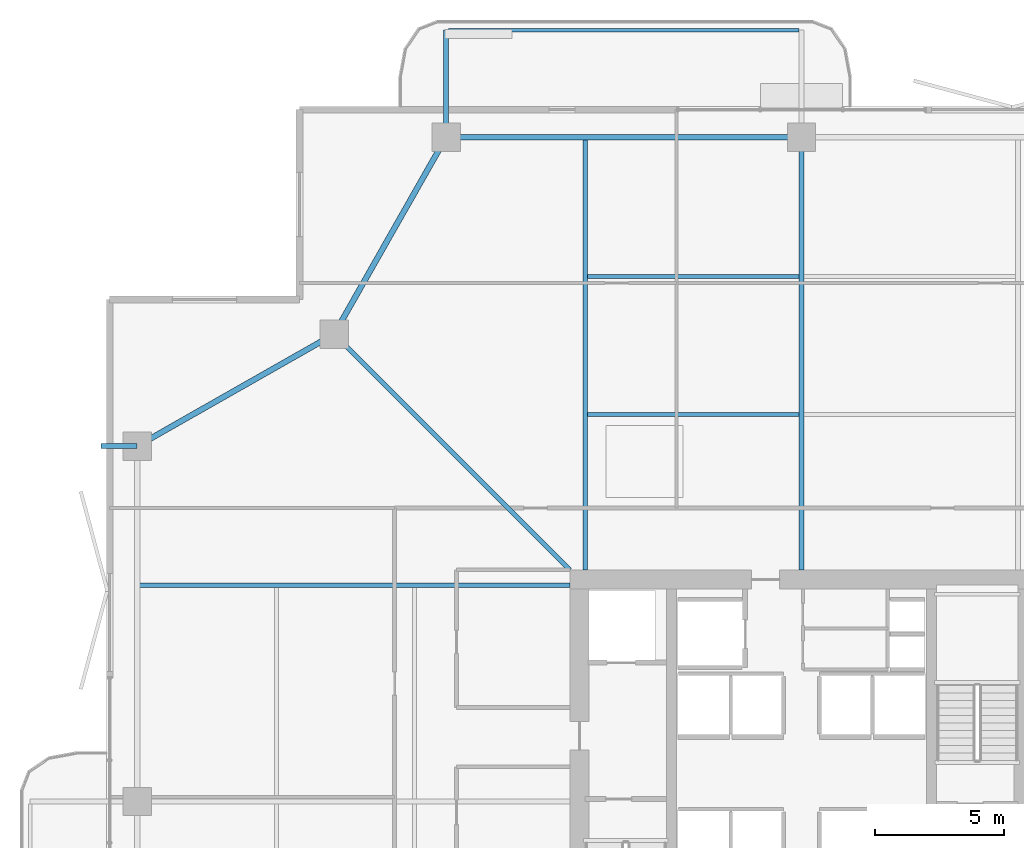
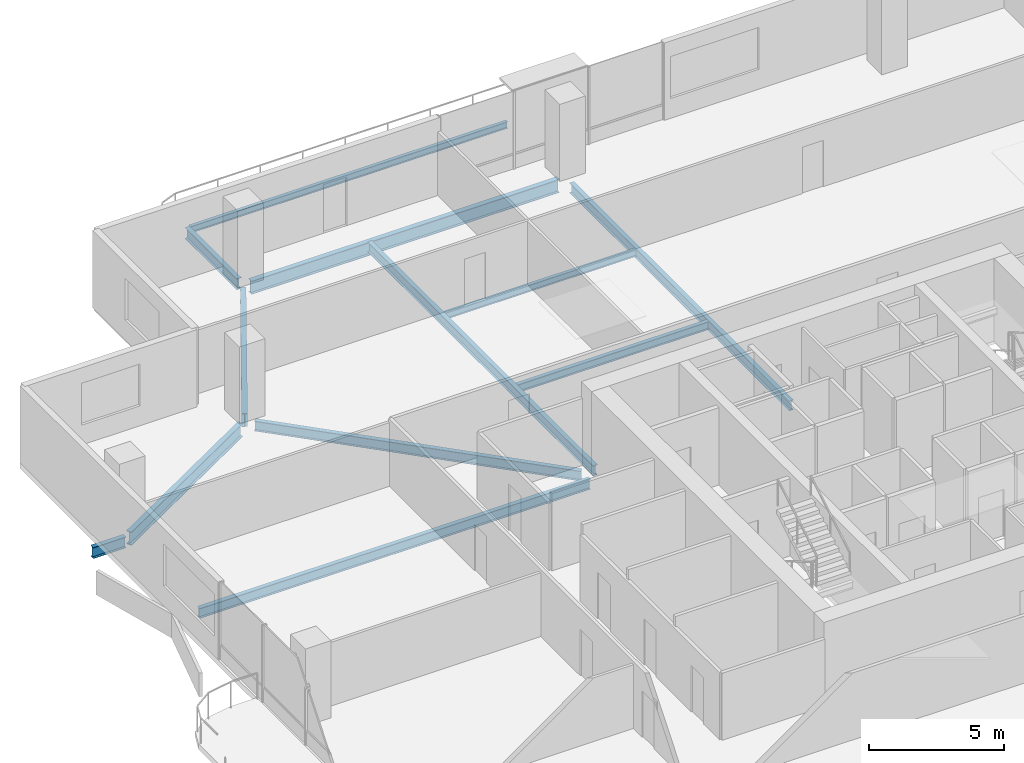
# One storey, part 10 of 24: 12 beams.
"""IFC4 building model written with IfcOpenShell, lengths in metres."""

import ifcopenshell
import ifcopenshell.guid

model = None  # the IFC model being written
_history = None  # IfcOwnerHistory: only IFC2X3 demands one
_inside = {}  # id of a spatial element -> (the spatial element, [elements in it])
_under = {}  # id of a project, library or spatial element -> (it, [spatial elements below it])
_declared = {}  # id of a project -> (the project, [libraries it declares])
_typed = {}  # id of a type object -> (the type object, [elements of that type])
_made_of = {}  # id of a material, layer set ... -> (it, [elements and type objects made of it])


def new_model(schema):
    """Start an empty IFC model of exactly this schema.

    Asked for "IFC4X3", IfcOpenShell would pick the latest addendum, in which some entities
    have other attributes; the version numbers below select the first issue.
    IFC2X3 requires an IfcOwnerHistory on every rooted entity: one is made here for all.
    """
    global model, _history
    if schema == "IFC4X3":
        model = ifcopenshell.file(schema_version=(4, 3, 0, 0))
    else:
        model = ifcopenshell.file(schema=schema)
    _inside.clear()
    _under.clear()
    _declared.clear()
    _typed.clear()
    _made_of.clear()
    _history = None
    if model.schema == "IFC2X3":
        org = make("IfcOrganization", Name="unknown")
        user = make(
            "IfcPersonAndOrganization",
            ThePerson=make("IfcPerson", FamilyName="unknown"),
            TheOrganization=org,
        )
        app = make(
            "IfcApplication",
            ApplicationDeveloper=org,
            Version="unknown",
            ApplicationFullName="unknown",
            ApplicationIdentifier="unknown",
        )
        _history = make(
            "IfcOwnerHistory",
            OwningUser=user,
            OwningApplication=app,
            ChangeAction="ADDED",
            CreationDate=0,
        )
    return model


def make(cls, **values):
    """One entity of the class cls with the attributes given. An attribute that is None is left unset."""
    return model.create_entity(
        cls, **{name: value for name, value in values.items() if value is not None}
    )


def rooted(cls, **values):
    """An entity with a GlobalId (a new one), such as an element, a storey or a relation."""
    return make(cls, GlobalId=ifcopenshell.guid.new(), OwnerHistory=_history, **values)


def si_unit(unit_type, name, prefix=None):
    """IfcSIUnit, for example si_unit("LENGTHUNIT", "METRE", prefix="MILLI")."""
    return make("IfcSIUnit", UnitType=unit_type, Prefix=prefix, Name=name)


def assignment(units):
    """IfcUnitAssignment: the units of a project."""
    return None if units is None else make("IfcUnitAssignment", Units=units)


def point(xyz):
    """IfcCartesianPoint."""
    return None if xyz is None else make("IfcCartesianPoint", Coordinates=xyz)


def direction(xyz):
    """IfcDirection."""
    return None if xyz is None else make("IfcDirection", DirectionRatios=xyz)


def frame(location, z_axis=None, x_axis=None):
    """IfcAxis2Placement3D, a coordinate frame: its origin and axes. An axis left out is left unset."""
    return make(
        "IfcAxis2Placement3D",
        Location=point(location),
        Axis=direction(z_axis),
        RefDirection=direction(x_axis),
    )


def frame_2d(location, x_axis=None):
    """IfcAxis2Placement2D, a coordinate frame in the plane: its origin and x axis."""
    return make(
        "IfcAxis2Placement2D", Location=point(location), RefDirection=direction(x_axis)
    )


def origin():
    """The frame at (0, 0, 0) with its axes left unset."""
    return frame((0.0, 0.0, 0.0))


def origin_2d():
    """The frame at (0, 0) in the plane with its x axis left unset."""
    return frame_2d((0.0, 0.0))


def place(relative_to, where):
    """IfcLocalPlacement: puts the frame where relative to a parent placement (None: the world)."""
    return make(
        "IfcLocalPlacement", PlacementRelTo=relative_to, RelativePlacement=where
    )


def context(
    kind, dimensions, precision=None, world=None, true_north=None, identifier=None
):
    """IfcGeometricRepresentationContext, for example the 3D "Model" context."""
    return make(
        "IfcGeometricRepresentationContext",
        ContextIdentifier=identifier,
        ContextType=kind,
        CoordinateSpaceDimension=dimensions,
        Precision=precision,
        WorldCoordinateSystem=world,
        TrueNorth=true_north,
    )


def subcontext(parent, identifier, kind, view, scale=None):
    """IfcGeometricRepresentationSubContext, for example "Body" below "Model"."""
    return make(
        "IfcGeometricRepresentationSubContext",
        ContextIdentifier=identifier,
        ContextType=kind,
        ParentContext=parent,
        TargetScale=scale,
        TargetView=view,
    )


def project(units=None, contexts=None):
    """IfcProject with its units and contexts."""
    return rooted(
        "IfcProject",
        Name="project",
        RepresentationContexts=contexts,
        UnitsInContext=assignment(units),
    )


def spatial(cls, under=None, at=None, **own):
    """A site, building, storey or space (cls), placed at a placement, below another one or the project."""
    s = rooted(cls, ObjectPlacement=at, **own)
    if under is not None:
        _under.setdefault(under.id(), (under, []))[1].append(s)
    return s


def profile(cls, at=None, kind="AREA", **sizes):
    """A parametric profile (cls). Its sizes go by their IFC names, for example OverallWidth=200.0."""
    return make(cls, ProfileType=kind, Position=at, **sizes)


def i_section(**sizes):
    """IfcIShapeProfileDef."""
    return profile("IfcIShapeProfileDef", **sizes)


def extrude(swept, where, along, depth):
    """IfcExtrudedAreaSolid: the profile swept, set in the frame where, extruded along a direction by depth."""
    return make(
        "IfcExtrudedAreaSolid",
        SweptArea=swept,
        Position=where,
        ExtrudedDirection=direction(along),
        Depth=depth,
    )


def shape(context_of_items, identifier, shape_type, items):
    """IfcShapeRepresentation: the items that make up one representation, for example the "Body"."""
    return make(
        "IfcShapeRepresentation",
        ContextOfItems=context_of_items,
        RepresentationIdentifier=identifier,
        RepresentationType=shape_type,
        Items=items,
    )


def material(Name=None, Category=None):
    """IfcMaterial."""
    return make("IfcMaterial", Name=Name, Category=Category)


def material_profile(
    of_material, cross_section, Name=None, Category=None, Priority=None
):
    """IfcMaterialProfile: a cross section and its material."""
    return make(
        "IfcMaterialProfile",
        Name=Name,
        Material=of_material,
        Profile=cross_section,
        Priority=Priority,
        Category=Category,
    )


def profile_set(profiles, Name=None, composite=None):
    """IfcMaterialProfileSet."""
    return make(
        "IfcMaterialProfileSet",
        Name=Name,
        MaterialProfiles=profiles,
        CompositeProfile=composite,
    )


def made_of(thing, what):
    """Note that an element or type object is made of a material, layer set ...; save() writes the relation."""
    if what is not None:
        _made_of.setdefault(what.id(), (what, []))[1].append(thing)
    return thing


def type_object(cls, material=None, **own):
    """A type object (cls), such as IfcWallType, which elements share."""
    return made_of(rooted(cls, **own), material)


def element(
    cls,
    number,
    at=None,
    inside=None,
    cuts=None,
    type_object=None,
    material=None,
    context=None,
    identifier="Body",
    shape_type=None,
    held_by="IfcProductDefinitionShape",
    body=None,
    shapes=None,
    **own,
):
    """One element of the class cls, such as IfcWall. Its Tag is "e" and its number.

    at: its placement. inside: the storey or other place that contains it. cuts: it is an
    opening in that element (IfcRelVoidsElement). A single representation is given by context,
    identifier, shape_type and body (its items); several are given by shapes. held_by: the class
    of the entity that holds the representations. save() writes the other relations.
    """
    e = rooted(cls, Tag="e%d" % number, ObjectPlacement=at, **own)
    if body is not None:
        shapes = [shape(context, identifier, shape_type, body)]
    if shapes is not None:
        e.Representation = make(held_by, Representations=shapes)
    if inside is not None:
        _inside.setdefault(inside.id(), (inside, []))[1].append(e)
    if cuts is not None:
        rooted(
            "IfcRelVoidsElement", RelatingBuildingElement=cuts, RelatedOpeningElement=e
        )
    if type_object is not None:
        _typed.setdefault(type_object.id(), (type_object, []))[1].append(e)
    return made_of(e, material)


def aggregate(whole, parts):
    """IfcRelAggregates: a whole, such as a stair, and the parts it consists of."""
    return rooted("IfcRelAggregates", RelatingObject=whole, RelatedObjects=parts)


def save(model, path):
    """Write the relations noted so far, then the file.

    IfcRelAggregates (storeys below a building ...), IfcRelContainedInSpatialStructure (elements
    in a storey), IfcRelDefinesByType, IfcRelAssociatesMaterial and IfcRelDeclares: one each for
    every whole, place, type object, material and project.
    """
    for whole, parts in _under.values():
        aggregate(whole, parts)
    for where, things in _inside.values():
        rooted(
            "IfcRelContainedInSpatialStructure",
            RelatedElements=things,
            RelatingStructure=where,
        )
    for kind, things in _typed.values():
        rooted("IfcRelDefinesByType", RelatedObjects=things, RelatingType=kind)
    for what, things in _made_of.values():
        rooted("IfcRelAssociatesMaterial", RelatedObjects=things, RelatingMaterial=what)
    for by, libraries in _declared.values():
        rooted("IfcRelDeclares", RelatingContext=by, RelatedDefinitions=libraries)
    model.write(path)


model = new_model("IFC4")

# Units and contexts
model_context = context("Model", 3, precision=1e-05, world=origin(), true_north=direction((0.0, 1.0)))
body_context = subcontext(model_context, "Body", "Model", "MODEL_VIEW")
ifc_project = project(units=[si_unit("LENGTHUNIT", "METRE"), si_unit("AREAUNIT", "SQUARE_METRE"), si_unit("VOLUMEUNIT", "CUBIC_METRE"), si_unit("PLANEANGLEUNIT", "RADIAN"), si_unit("MASSUNIT", "GRAM", prefix="KILO")], contexts=[model_context])

# Site, building, storey
site_placement = place(None, origin())
site = spatial("IfcSite", under=ifc_project, at=site_placement, CompositionType="ELEMENT")
building_placement = place(site_placement, origin())
building = spatial("IfcBuilding", under=site, at=building_placement, Name="Belovzor Exchange Tower", CompositionType="ELEMENT")
storey_placement = place(building_placement, frame((0.0, 0.0, 222.449951171875)))
storey = spatial("IfcBuildingStorey", under=building, at=storey_placement, Name="L55", CompositionType="ELEMENT", Elevation=222.449951171875)

# Beams
ifc_material_1 = material(Name="Steel S355", Category="steel")
ifc_material_profile_1 = material_profile(ifc_material_1, i_section(OverallWidth=0.199951171875, OverallDepth=0.5, WebThickness=0.01025390625, FlangeThickness=0.01611328125, at=origin_2d()))
ifc_profile_set_1 = profile_set([ifc_material_profile_1], Name="Steel S355")
beam_type_1 = type_object("IfcBeamType", Name="Planted Balcony Cantilever Beam IPE 500", PredefinedType="BEAM", material=ifc_profile_set_1)
beam_1_placement = place(storey_placement, frame((15.0, 54.903076171875, -0.5), z_axis=(0.0, 1.0, 0.0), x_axis=(-1.0, 0.0, 0.0)))
element("IfcBeam", 1, at=beam_1_placement, inside=storey, type_object=beam_type_1, Name="BC-500 Planted Balcony Cantilever Beam IPE 500", PredefinedType="BEAM", context=body_context, shape_type="SweptSolid", body=[
    extrude(i_section(OverallWidth=0.199951171875, OverallDepth=0.5, WebThickness=0.01025390625, FlangeThickness=0.01611328125, at=origin_2d()), origin(), (0.0, 0.0, 1.0), 3.849853515625),
])
beam_2_placement = place(storey_placement, frame((3.0, 42.60009765625, -0.5), z_axis=(-1.0, 0.0, 0.0), x_axis=(0.0, -1.0, 0.0)))
element("IfcBeam", 2, at=beam_2_placement, inside=storey, type_object=beam_type_1, Name="BC-500 Planted Balcony Cantilever Beam IPE 500", PredefinedType="BEAM", context=body_context, shape_type="SweptSolid", body=[
    extrude(i_section(OverallWidth=0.199951171875, OverallDepth=0.5, WebThickness=0.01025390625, FlangeThickness=0.01611328125, at=origin_2d()), origin(), (0.0, 0.0, 1.0), 1.39990234375),
])
ifc_material_2 = material(Name="Steel S355", Category="steel")
ifc_material_profile_2 = material_profile(ifc_material_2, i_section(OverallWidth=0.14990234375, OverallDepth=0.300048828125, WebThickness=0.007080078125, FlangeThickness=0.0107421875, at=origin_2d()))
ifc_profile_set_2 = profile_set([ifc_material_profile_2], Name="Steel S355")
beam_type_2 = type_object("IfcBeamType", Name="Planted Balcony Fascia Edge Beam IPE 300", PredefinedType="BEAM", material=ifc_profile_set_2)
beam_3_placement = place(storey_placement, frame((28.699951171875, 58.7529296875, -0.39990234375), z_axis=(-1.0, 0.0, 0.0), x_axis=(0.0, -1.0, 0.0)))
element("IfcBeam", 3, at=beam_3_placement, inside=storey, type_object=beam_type_2, Name="BC-300 Planted Balcony Fascia Edge Beam IPE 300", PredefinedType="BEAM", context=body_context, shape_type="SweptSolid", body=[
    extrude(i_section(OverallWidth=0.14990234375, OverallDepth=0.300048828125, WebThickness=0.007080078125, FlangeThickness=0.0107421875, at=origin_2d()), origin(), (0.0, 0.0, 1.0), 13.599853515625),
])
ifc_material_3 = material(Name="Steel S355", Category="steel")
ifc_material_profile_3 = material_profile(ifc_material_3, i_section(OverallWidth=0.169921875, OverallDepth=0.360107421875, WebThickness=0.008056640625, FlangeThickness=0.0126953125, at=origin_2d()))
ifc_profile_set_3 = profile_set([ifc_material_profile_3], Name="Steel S355")
beam_type_3 = type_object("IfcBeamType", Name="Secondary Infill Floor Joist IPE 360", PredefinedType="BEAM", material=ifc_profile_set_3)
beam_4_placement = place(storey_placement, frame((20.4951171875, 43.827880859375, -0.429931640625), z_axis=(1.0, 0.0, 0.0), x_axis=(0.0, 1.0, 0.0)))
element("IfcBeam", 4, at=beam_4_placement, inside=storey, type_object=beam_type_3, Name="FJ-360 Secondary Infill Floor Joist IPE 360", PredefinedType="BEAM", context=body_context, shape_type="SweptSolid", body=[
    extrude(i_section(OverallWidth=0.169921875, OverallDepth=0.360107421875, WebThickness=0.008056640625, FlangeThickness=0.0126953125, at=origin_2d()), origin(), (0.0, 0.0, 1.0), 8.2099609375),
])
ifc_material_4 = material(Name="Steel S355", Category="steel")
ifc_material_profile_4 = material_profile(ifc_material_4, i_section(OverallWidth=0.14990234375, OverallDepth=0.300048828125, WebThickness=0.007080078125, FlangeThickness=0.0107421875, at=origin_2d()))
ifc_profile_set_4 = profile_set([ifc_material_profile_4], Name="Steel S355")
beam_type_4 = type_object("IfcBeamType", Name="Secondary Trim Floor Joist IPE 300", PredefinedType="BEAM", material=ifc_profile_set_4)
beam_5_placement = place(storey_placement, frame((20.4951171875, 49.18701171875, -0.39990234375), z_axis=(1.0, 0.0, 0.0), x_axis=(0.0, 1.0, 0.0)))
element("IfcBeam", 5, at=beam_5_placement, inside=storey, type_object=beam_type_4, Name="FJ-300 Secondary Trim Floor Joist IPE 300", PredefinedType="BEAM", context=body_context, shape_type="SweptSolid", body=[
    extrude(i_section(OverallWidth=0.14990234375, OverallDepth=0.300048828125, WebThickness=0.007080078125, FlangeThickness=0.0107421875, at=origin_2d()), origin(), (0.0, 0.0, 1.0), 8.2099609375),
])
ifc_material_5 = material(Name="Steel S355", Category="steel")
ifc_material_profile_5 = material_profile(ifc_material_5, i_section(OverallWidth=0.18994140625, OverallDepth=0.449951171875, WebThickness=0.009521484375, FlangeThickness=0.0146484375, at=origin_2d()))
ifc_profile_set_5 = profile_set([ifc_material_profile_5], Name="Steel S355")
beam_type_5 = type_object("IfcBeamType", Name="Zone 2-4 Radial Composite Floor Beam IPE 450", PredefinedType="BEAM", material=ifc_profile_set_5)
beam_6_placement = place(storey_placement, frame((20.39990234375, 37.800048828125, -0.474853515625), z_axis=(0.0, 1.0, 0.0), x_axis=(-1.0, 0.0, 0.0)))
element("IfcBeam", 6, at=beam_6_placement, inside=storey, type_object=beam_type_5, Name="FB-450 Zone 2-4 Radial Composite Floor Beam IPE 450", PredefinedType="BEAM", context=body_context, shape_type="SweptSolid", body=[
    extrude(i_section(OverallWidth=0.18994140625, OverallDepth=0.449951171875, WebThickness=0.009521484375, FlangeThickness=0.0146484375, at=origin_2d()), origin(), (0.0, 0.0, 1.0), 16.744873046875),
])
beam_7_placement = place(storey_placement, frame((28.800048828125, 37.800048828125, -0.474853515625), z_axis=(0.0, 1.0, 0.0), x_axis=(-1.0, 0.0, 0.0)))
element("IfcBeam", 7, at=beam_7_placement, inside=storey, type_object=beam_type_5, Name="FB-450 Zone 2-4 Radial Composite Floor Beam IPE 450", PredefinedType="BEAM", context=body_context, shape_type="SweptSolid", body=[
    extrude(i_section(OverallWidth=0.18994140625, OverallDepth=0.449951171875, WebThickness=0.009521484375, FlangeThickness=0.0146484375, at=origin_2d()), origin(), (0.0, 0.0, 1.0), 16.31591796875),
])
beam_8_placement = place(storey_placement, frame((19.800048828125, 37.199951171875, -0.474853515625), z_axis=(-1.0, 0.0, 0.0), x_axis=(0.0, -1.0, 0.0)))
element("IfcBeam", 8, at=beam_8_placement, inside=storey, type_object=beam_type_5, Name="FB-450 Zone 2-4 Radial Composite Floor Beam IPE 450", PredefinedType="BEAM", context=body_context, shape_type="SweptSolid", body=[
    extrude(i_section(OverallWidth=0.18994140625, OverallDepth=0.449951171875, WebThickness=0.009521484375, FlangeThickness=0.0146484375, at=origin_2d()), origin(), (0.0, 0.0, 1.0), 16.7451171875),
])
beam_9_placement = place(storey_placement, frame((19.800048828125, 37.800048828125, -0.474853515625), z_axis=(-0.707106781187, 0.707106781187, 0.0), x_axis=(-0.707106781187, -0.707106781187, 0.0)))
element("IfcBeam", 9, at=beam_9_placement, inside=storey, type_object=beam_type_5, Name="FB-450 Zone 2-4 Radial Composite Floor Beam IPE 450", PredefinedType="BEAM", context=body_context, shape_type="SweptSolid", body=[
    extrude(i_section(OverallWidth=0.18994140625, OverallDepth=0.449951171875, WebThickness=0.009521484375, FlangeThickness=0.0146484375, at=origin_2d()), origin(), (0.0, 0.0, 1.0), 12.551025390625),
])
ifc_material_6 = material(Name="Steel S355", Category="steel")
ifc_material_profile_6 = material_profile(ifc_material_6, i_section(OverallWidth=0.219970703125, OverallDepth=0.60009765625, WebThickness=0.011962890625, FlangeThickness=0.01904296875, at=origin_2d()))
ifc_profile_set_6 = profile_set([ifc_material_profile_6], Name="Steel S355")
beam_type_6 = type_object("IfcBeamType", Name="Zone 4 Flare Primary Girder IPE 600", PredefinedType="BEAM", material=ifc_profile_set_6)
beam_10_placement = place(storey_placement, frame((28.498046875, 54.60009765625, -0.550048828125), z_axis=(-1.0, 0.0, 0.0), x_axis=(0.0, -1.0, 0.0)))
element("IfcBeam", 10, at=beam_10_placement, inside=storey, type_object=beam_type_6, Name="FG-Z4 Zone 4 Flare Primary Girder IPE 600", PredefinedType="BEAM", context=body_context, shape_type="SweptSolid", body=[
    extrude(i_section(OverallWidth=0.219970703125, OverallDepth=0.60009765625, WebThickness=0.011962890625, FlangeThickness=0.01904296875, at=origin_2d()), origin(), (0.0, 0.0, 1.0), 13.195068359375),
])
for number, where, z_axis, x_axis, name in (
    (11, (14.85009765625, 54.3369140625, -0.550048828125), (-0.494222323641, -0.869335547884, 0.0), (0.869335547884, -0.494222323641, 0.0), "FG-Z4 Zone 4 Flare Primary Girder IPE 600"),
    (12, (10.386962890625, 46.800048828125, -0.550048828125), (-0.869335547884, -0.494222323641, 0.0), (0.494222323641, -0.869335547884, 0.0), "FG-Z4 Zone 4 Flare Primary Girder IPE 600"),
):
    element("IfcBeam", number, at=place(storey_placement, frame(where, z_axis=z_axis, x_axis=x_axis)), inside=storey, type_object=beam_type_6, Name=name, PredefinedType="BEAM", context=body_context, shape_type="SweptSolid", body=[
        extrude(i_section(OverallWidth=0.219970703125, OverallDepth=0.60009765625, WebThickness=0.011962890625, FlangeThickness=0.01904296875, at=origin_2d()), origin(), (0.0, 0.0, 1.0), 8.19482421875),
    ])

save(model, "model.ifc")
